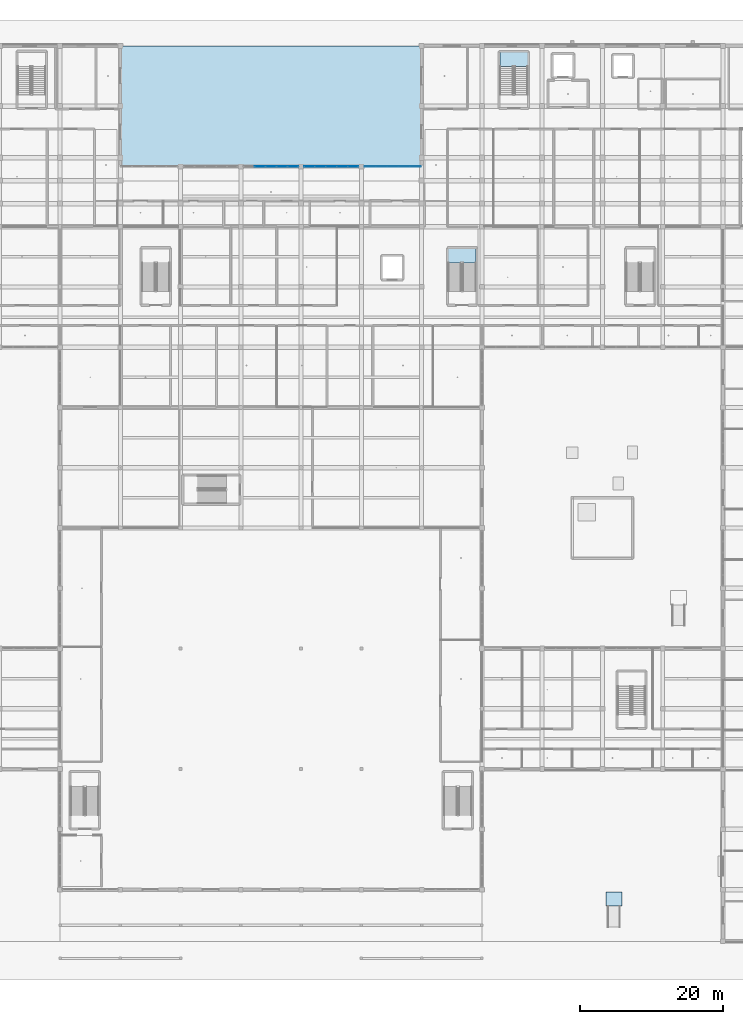
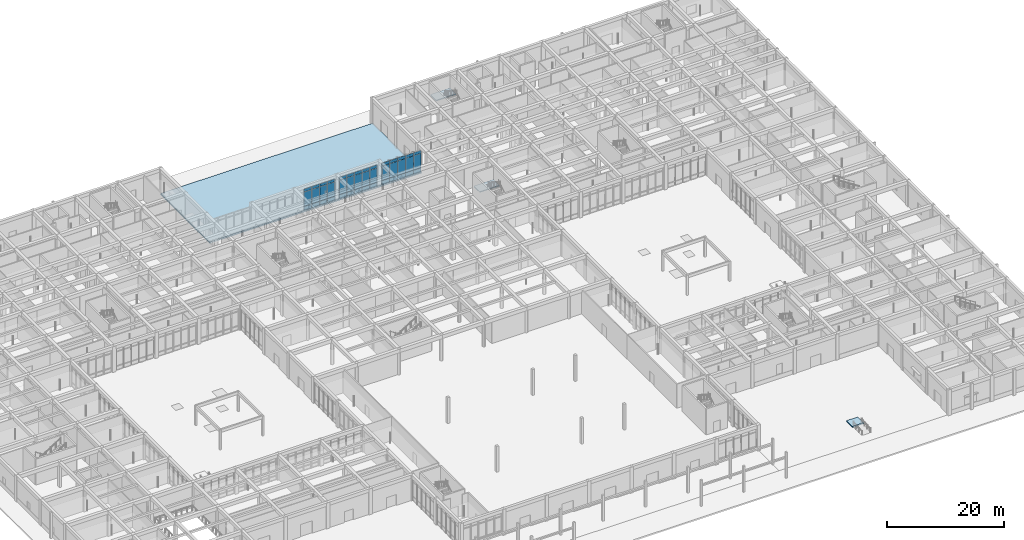
# One storey, part 56 of 167: 42 plates, 4 slabs, 6 elements without a shape of their own.
"""IFC4 building model written with IfcOpenShell, lengths in metres."""

from ifc_helpers import new_model, si_unit, direction, frame, origin, origin_2d, place, context, subcontext, project, spatial, polyline, rectangle, outline, extrude, material, layer, layer_set, type_object, element, aggregate, save


model = new_model("IFC4")

# Units and contexts
model_context = context("Model", 3, precision=1e-05, world=origin(), true_north=direction((0.0, 1.0)))
body_context = subcontext(model_context, "Body", "Model", "MODEL_VIEW")
ifc_project = project(units=[si_unit("LENGTHUNIT", "METRE"), si_unit("AREAUNIT", "SQUARE_METRE"), si_unit("VOLUMEUNIT", "CUBIC_METRE"), si_unit("PLANEANGLEUNIT", "RADIAN"), si_unit("MASSUNIT", "GRAM", prefix="KILO")], contexts=[model_context])

# Site, building, storey
site_placement = place(None, origin())
site = spatial("IfcSite", under=ifc_project, at=site_placement, CompositionType="ELEMENT")
building_placement = place(site_placement, origin())
building = spatial("IfcBuilding", under=site, at=building_placement, Name="Varncliffe General Hospital", CompositionType="ELEMENT")
storey_placement = place(building_placement, origin())
storey = spatial("IfcBuildingStorey", under=building, at=storey_placement, Name="L00", CompositionType="ELEMENT", Elevation=0.0)

# Ramp, slab
ifc_material_1 = material(Name="Concrete C35/45 (CSA A23.1 35 MPa)", Category="concrete")
ramp_type = type_object("IfcRampType", Name="Barrier-Free Pedestrian Access Ramp PR23", PredefinedType="STRAIGHT_RUN_RAMP", material=ifc_material_1)
ramp_placement = place(storey_placement, origin())
ramp = element("IfcRamp", 1, at=ramp_placement, inside=storey, type_object=ramp_type, Name="South-East Forecourt Barrier-Free Ramp", PredefinedType="STRAIGHT_RUN_RAMP")
ifc_layer_1 = layer(ifc_material_1, 0.239990234375)
ifc_layer_set_1 = layer_set([ifc_layer_1], Name="Concrete C35/45 (CSA A23.1 35 MPa)")
slab_type_1 = type_object("IfcSlabType", Name="Accessible Threshold Landing Slab PLZ32 (240mm)", PredefinedType="LANDING", material=ifc_layer_set_1)
slab_1_placement = place(storey_placement, origin())
slab_1 = element("IfcSlab", 2, at=slab_1_placement, type_object=slab_type_1, Name="South-East Forecourt Barrier-Free Ramp Top Landing Plinth", PredefinedType="LANDING", context=body_context, shape_type="SweptSolid", body=[
    extrude(outline(polyline([(134.89990234375, 4.8798828125), (137.10009765625, 4.8798828125), (137.10009765625, 6.8798828125), (134.89990234375, 6.8798828125), (134.89990234375, 4.8798828125)])), origin(), (0.0, 0.0, 1.0), 0.239990234375),
])
aggregate(ramp, [slab_1])

# Curtain wall, plates
ifc_material_2 = material(Name="Triple low-E argon insulated vision glazing", Category="glass")
curtain_wall_type_1 = type_object("IfcCurtainWallType", Name="Unitised Glazed Curtain Wall CW51 (7704x4640)", PredefinedType="USERDEFINED", material=ifc_material_2)
curtain_wall_1_placement = place(storey_placement, origin())
curtain_wall_1 = element("IfcCurtainWall", 3, at=curtain_wall_1_placement, inside=storey, type_object=curtain_wall_type_1, Name="L00 Glazed Curtain Wall CW51-3", ObjectType="GLAZED CURTAIN WALL", PredefinedType="USERDEFINED")
ifc_layer_2 = layer(ifc_material_2, 0.0439453125)
ifc_layer_set_2 = layer_set([ifc_layer_2], Name="Triple low-E argon insulated vision glazing")
plate_type_1 = type_object("IfcPlateType", Name="Curtain Wall Glazing Panel CP12 (44mm)", PredefinedType="CURTAIN_PANEL", material=ifc_layer_set_2)
plate_1_placement = place(storey_placement, frame((86.6591796875, 108.0, 0.06494140625), z_axis=(0.0, 0.0, 1.0), x_axis=(1.0, 0.0, 0.0)))
plate_1 = element("IfcPlate", 4, at=plate_1_placement, type_object=plate_type_1, Name="CW51 panel 2.1", PredefinedType="CURTAIN_PANEL", context=body_context, shape_type="SweptSolid", body=[
    extrude(rectangle(XDim=1.4658203125, YDim=0.0439453125, at=origin_2d()), origin(), (0.0, 0.0, 1.0), 0.802490234375),
])
plate_2_placement = place(storey_placement, frame((86.6591796875, 108.0, 0.932373046875), z_axis=(0.0, 0.0, 1.0), x_axis=(1.0, 0.0, 0.0)))
plate_2 = element("IfcPlate", 5, at=plate_2_placement, type_object=plate_type_1, Name="CW51 panel 2.2", PredefinedType="CURTAIN_PANEL", context=body_context, shape_type="SweptSolid", body=[
    extrude(rectangle(XDim=1.4658203125, YDim=0.0439453125, at=origin_2d()), origin(), (0.0, 0.0, 1.0), 2.97509765625),
])
plate_3_placement = place(storey_placement, frame((86.6591796875, 108.0, 3.972412109375), z_axis=(0.0, 0.0, 1.0), x_axis=(1.0, 0.0, 0.0)))
plate_3 = element("IfcPlate", 6, at=plate_3_placement, type_object=plate_type_1, Name="CW51 panel 2.3", PredefinedType="CURTAIN_PANEL", context=body_context, shape_type="SweptSolid", body=[
    extrude(rectangle(XDim=1.4658203125, YDim=0.0439453125, at=origin_2d()), origin(), (0.0, 0.0, 1.0), 0.6025390625),
])
plate_4_placement = place(storey_placement, frame((88.199951171875, 108.0, 0.06494140625), z_axis=(0.0, 0.0, 1.0), x_axis=(1.0, 0.0, 0.0)))
plate_4 = element("IfcPlate", 7, at=plate_4_placement, type_object=plate_type_1, Name="CW51 panel 3.1", PredefinedType="CURTAIN_PANEL", context=body_context, shape_type="SweptSolid", body=[
    extrude(rectangle(XDim=1.4658203125, YDim=0.0439453125, at=origin_2d()), origin(), (0.0, 0.0, 1.0), 0.802490234375),
])
plate_5_placement = place(storey_placement, frame((88.199951171875, 108.0, 0.932373046875), z_axis=(0.0, 0.0, 1.0), x_axis=(1.0, 0.0, 0.0)))
plate_5 = element("IfcPlate", 8, at=plate_5_placement, type_object=plate_type_1, Name="CW51 panel 3.2", PredefinedType="CURTAIN_PANEL", context=body_context, shape_type="SweptSolid", body=[
    extrude(rectangle(XDim=1.4658203125, YDim=0.0439453125, at=origin_2d()), origin(), (0.0, 0.0, 1.0), 2.97509765625),
])
plate_6_placement = place(storey_placement, frame((88.199951171875, 108.0, 3.972412109375), z_axis=(0.0, 0.0, 1.0), x_axis=(1.0, 0.0, 0.0)))
plate_6 = element("IfcPlate", 9, at=plate_6_placement, type_object=plate_type_1, Name="CW51 panel 3.3", PredefinedType="CURTAIN_PANEL", context=body_context, shape_type="SweptSolid", body=[
    extrude(rectangle(XDim=1.4658203125, YDim=0.0439453125, at=origin_2d()), origin(), (0.0, 0.0, 1.0), 0.6025390625),
])
plate_7_placement = place(storey_placement, frame((89.74072265625, 108.0, 0.06494140625), z_axis=(0.0, 0.0, 1.0), x_axis=(1.0, 0.0, 0.0)))
plate_7 = element("IfcPlate", 10, at=plate_7_placement, type_object=plate_type_1, Name="CW51 panel 4.1", PredefinedType="CURTAIN_PANEL", context=body_context, shape_type="SweptSolid", body=[
    extrude(rectangle(XDim=1.4658203125, YDim=0.0439453125, at=origin_2d()), origin(), (0.0, 0.0, 1.0), 0.802490234375),
])
plate_8_placement = place(storey_placement, frame((89.74072265625, 108.0, 0.932373046875), z_axis=(0.0, 0.0, 1.0), x_axis=(1.0, 0.0, 0.0)))
plate_8 = element("IfcPlate", 11, at=plate_8_placement, type_object=plate_type_1, Name="CW51 panel 4.2", PredefinedType="CURTAIN_PANEL", context=body_context, shape_type="SweptSolid", body=[
    extrude(rectangle(XDim=1.4658203125, YDim=0.0439453125, at=origin_2d()), origin(), (0.0, 0.0, 1.0), 2.97509765625),
])
plate_9_placement = place(storey_placement, frame((89.74072265625, 108.0, 3.972412109375), z_axis=(0.0, 0.0, 1.0), x_axis=(1.0, 0.0, 0.0)))
plate_9 = element("IfcPlate", 12, at=plate_9_placement, type_object=plate_type_1, Name="CW51 panel 4.3", PredefinedType="CURTAIN_PANEL", context=body_context, shape_type="SweptSolid", body=[
    extrude(rectangle(XDim=1.4658203125, YDim=0.0439453125, at=origin_2d()), origin(), (0.0, 0.0, 1.0), 0.6025390625),
])
plate_10_placement = place(storey_placement, frame((91.262939453125, 108.0, 0.06494140625), z_axis=(0.0, 0.0, 1.0), x_axis=(1.0, 0.0, 0.0)))
plate_10 = element("IfcPlate", 13, at=plate_10_placement, type_object=plate_type_1, Name="CW51 panel 5.1", PredefinedType="CURTAIN_PANEL", context=body_context, shape_type="SweptSolid", body=[
    extrude(rectangle(XDim=1.42822265625, YDim=0.0439453125, at=origin_2d()), origin(), (0.0, 0.0, 1.0), 0.802490234375),
])
plate_11_placement = place(storey_placement, frame((91.262939453125, 108.0, 0.932373046875), z_axis=(0.0, 0.0, 1.0), x_axis=(1.0, 0.0, 0.0)))
plate_11 = element("IfcPlate", 14, at=plate_11_placement, type_object=plate_type_1, Name="CW51 panel 5.2", PredefinedType="CURTAIN_PANEL", context=body_context, shape_type="SweptSolid", body=[
    extrude(rectangle(XDim=1.42822265625, YDim=0.0439453125, at=origin_2d()), origin(), (0.0, 0.0, 1.0), 2.97509765625),
])
plate_12_placement = place(storey_placement, frame((91.262939453125, 108.0, 3.972412109375), z_axis=(0.0, 0.0, 1.0), x_axis=(1.0, 0.0, 0.0)))
plate_12 = element("IfcPlate", 15, at=plate_12_placement, type_object=plate_type_1, Name="CW51 panel 5.3", PredefinedType="CURTAIN_PANEL", context=body_context, shape_type="SweptSolid", body=[
    extrude(rectangle(XDim=1.42822265625, YDim=0.0439453125, at=origin_2d()), origin(), (0.0, 0.0, 1.0), 0.6025390625),
])
aggregate(curtain_wall_1, [plate_1, plate_2, plate_3, plate_4, plate_5, plate_6, plate_7, plate_8, plate_9, plate_10, plate_11, plate_12])

curtain_wall_type_2 = type_object("IfcCurtainWallType", Name="Unitised Glazed Curtain Wall CW50 (7892x4640)", PredefinedType="USERDEFINED", material=ifc_material_2)
curtain_wall_2_placement = place(storey_placement, origin())
curtain_wall_2 = element("IfcCurtainWall", 16, at=curtain_wall_2_placement, inside=storey, type_object=curtain_wall_type_2, Name="L00 Glazed Curtain Wall CW50-5", ObjectType="GLAZED CURTAIN WALL", PredefinedType="USERDEFINED")
ifc_material_3 = material(Name="Insulated ceramic-fritted spandrel glazing panel", Category="glass")
ifc_layer_3 = layer(ifc_material_3, 0.06396484375)
ifc_layer_set_3 = layer_set([ifc_layer_3], Name="Insulated ceramic-fritted spandrel glazing panel")
plate_type_2 = type_object("IfcPlateType", Name="Curtain Wall Glazing Panel CP41 (64mm)", PredefinedType="CURTAIN_PANEL", material=ifc_layer_set_3)
plate_13_placement = place(storey_placement, frame((102.033447265625, 108.0, 0.06005859375), z_axis=(0.0, 0.0, 1.0), x_axis=(1.0, 0.0, 0.0)))
plate_13 = element("IfcPlate", 17, at=plate_13_placement, type_object=plate_type_2, Name="CW50 panel 1.1", PredefinedType="CURTAIN_PANEL", context=body_context, shape_type="SweptSolid", body=[
    extrude(rectangle(XDim=1.48095703125, YDim=0.06396484375, at=origin_2d()), origin(), (0.0, 0.0, 1.0), 0.81005859375),
])
plate_14_placement = place(storey_placement, frame((102.033447265625, 108.0, 0.929931640625), z_axis=(0.0, 0.0, 1.0), x_axis=(1.0, 0.0, 0.0)))
plate_14 = element("IfcPlate", 18, at=plate_14_placement, type_object=plate_type_2, Name="CW50 panel 1.2", PredefinedType="CURTAIN_PANEL", context=body_context, shape_type="SweptSolid", body=[
    extrude(rectangle(XDim=1.48095703125, YDim=0.06396484375, at=origin_2d()), origin(), (0.0, 0.0, 1.0), 2.97998046875),
])
plate_15_placement = place(storey_placement, frame((102.033447265625, 108.0, 3.9697265625), z_axis=(0.0, 0.0, 1.0), x_axis=(1.0, 0.0, 0.0)))
plate_15 = element("IfcPlate", 19, at=plate_15_placement, type_object=plate_type_2, Name="CW50 panel 1.3", PredefinedType="CURTAIN_PANEL", context=body_context, shape_type="SweptSolid", body=[
    extrude(rectangle(XDim=1.48095703125, YDim=0.06396484375, at=origin_2d()), origin(), (0.0, 0.0, 1.0), 0.610107421875),
])
plate_16_placement = place(storey_placement, frame((103.595703125, 108.0, 0.06005859375), z_axis=(0.0, 0.0, 1.0), x_axis=(1.0, 0.0, 0.0)))
plate_16 = element("IfcPlate", 20, at=plate_16_placement, type_object=plate_type_2, Name="CW50 panel 2.1", PredefinedType="CURTAIN_PANEL", context=body_context, shape_type="SweptSolid", body=[
    extrude(rectangle(XDim=1.513427734375, YDim=0.06396484375, at=origin_2d()), origin(), (0.0, 0.0, 1.0), 0.81005859375),
])
plate_17_placement = place(storey_placement, frame((103.595703125, 108.0, 0.929931640625), z_axis=(0.0, 0.0, 1.0), x_axis=(1.0, 0.0, 0.0)))
plate_17 = element("IfcPlate", 21, at=plate_17_placement, type_object=plate_type_2, Name="CW50 panel 2.2", PredefinedType="CURTAIN_PANEL", context=body_context, shape_type="SweptSolid", body=[
    extrude(rectangle(XDim=1.513427734375, YDim=0.06396484375, at=origin_2d()), origin(), (0.0, 0.0, 1.0), 2.97998046875),
])
plate_18_placement = place(storey_placement, frame((103.595703125, 108.0, 3.9697265625), z_axis=(0.0, 0.0, 1.0), x_axis=(1.0, 0.0, 0.0)))
plate_18 = element("IfcPlate", 22, at=plate_18_placement, type_object=plate_type_2, Name="CW50 panel 2.3", PredefinedType="CURTAIN_PANEL", context=body_context, shape_type="SweptSolid", body=[
    extrude(rectangle(XDim=1.513427734375, YDim=0.06396484375, at=origin_2d()), origin(), (0.0, 0.0, 1.0), 0.610107421875),
])
plate_19_placement = place(storey_placement, frame((105.174072265625, 108.0, 0.06005859375), z_axis=(0.0, 0.0, 1.0), x_axis=(1.0, 0.0, 0.0)))
plate_19 = element("IfcPlate", 23, at=plate_19_placement, type_object=plate_type_2, Name="CW50 panel 3.1", PredefinedType="CURTAIN_PANEL", context=body_context, shape_type="SweptSolid", body=[
    extrude(rectangle(XDim=1.513427734375, YDim=0.06396484375, at=origin_2d()), origin(), (0.0, 0.0, 1.0), 0.81005859375),
])
plate_20_placement = place(storey_placement, frame((105.174072265625, 108.0, 0.929931640625), z_axis=(0.0, 0.0, 1.0), x_axis=(1.0, 0.0, 0.0)))
plate_20 = element("IfcPlate", 24, at=plate_20_placement, type_object=plate_type_2, Name="CW50 panel 3.2", PredefinedType="CURTAIN_PANEL", context=body_context, shape_type="SweptSolid", body=[
    extrude(rectangle(XDim=1.513427734375, YDim=0.06396484375, at=origin_2d()), origin(), (0.0, 0.0, 1.0), 2.97998046875),
])
plate_21_placement = place(storey_placement, frame((105.174072265625, 108.0, 3.9697265625), z_axis=(0.0, 0.0, 1.0), x_axis=(1.0, 0.0, 0.0)))
plate_21 = element("IfcPlate", 25, at=plate_21_placement, type_object=plate_type_2, Name="CW50 panel 3.3", PredefinedType="CURTAIN_PANEL", context=body_context, shape_type="SweptSolid", body=[
    extrude(rectangle(XDim=1.513427734375, YDim=0.06396484375, at=origin_2d()), origin(), (0.0, 0.0, 1.0), 0.610107421875),
])
plate_22_placement = place(storey_placement, frame((106.75244140625, 108.0, 0.06005859375), z_axis=(0.0, 0.0, 1.0), x_axis=(1.0, 0.0, 0.0)))
plate_22 = element("IfcPlate", 26, at=plate_22_placement, type_object=plate_type_2, Name="CW50 panel 4.1", PredefinedType="CURTAIN_PANEL", context=body_context, shape_type="SweptSolid", body=[
    extrude(rectangle(XDim=1.513427734375, YDim=0.06396484375, at=origin_2d()), origin(), (0.0, 0.0, 1.0), 0.81005859375),
])
plate_23_placement = place(storey_placement, frame((106.75244140625, 108.0, 0.929931640625), z_axis=(0.0, 0.0, 1.0), x_axis=(1.0, 0.0, 0.0)))
plate_23 = element("IfcPlate", 27, at=plate_23_placement, type_object=plate_type_2, Name="CW50 panel 4.2", PredefinedType="CURTAIN_PANEL", context=body_context, shape_type="SweptSolid", body=[
    extrude(rectangle(XDim=1.513427734375, YDim=0.06396484375, at=origin_2d()), origin(), (0.0, 0.0, 1.0), 2.97998046875),
])
plate_24_placement = place(storey_placement, frame((106.75244140625, 108.0, 3.9697265625), z_axis=(0.0, 0.0, 1.0), x_axis=(1.0, 0.0, 0.0)))
plate_24 = element("IfcPlate", 28, at=plate_24_placement, type_object=plate_type_2, Name="CW50 panel 4.3", PredefinedType="CURTAIN_PANEL", context=body_context, shape_type="SweptSolid", body=[
    extrude(rectangle(XDim=1.513427734375, YDim=0.06396484375, at=origin_2d()), origin(), (0.0, 0.0, 1.0), 0.610107421875),
])
plate_25_placement = place(storey_placement, frame((108.314453125, 108.0, 0.06005859375), z_axis=(0.0, 0.0, 1.0), x_axis=(1.0, 0.0, 0.0)))
plate_25 = element("IfcPlate", 29, at=plate_25_placement, type_object=plate_type_2, Name="CW50 panel 5.1", PredefinedType="CURTAIN_PANEL", context=body_context, shape_type="SweptSolid", body=[
    extrude(rectangle(XDim=1.48095703125, YDim=0.06396484375, at=origin_2d()), origin(), (0.0, 0.0, 1.0), 0.81005859375),
])
plate_26_placement = place(storey_placement, frame((108.314453125, 108.0, 0.929931640625), z_axis=(0.0, 0.0, 1.0), x_axis=(1.0, 0.0, 0.0)))
plate_26 = element("IfcPlate", 30, at=plate_26_placement, type_object=plate_type_2, Name="CW50 panel 5.2", PredefinedType="CURTAIN_PANEL", context=body_context, shape_type="SweptSolid", body=[
    extrude(rectangle(XDim=1.48095703125, YDim=0.06396484375, at=origin_2d()), origin(), (0.0, 0.0, 1.0), 2.97998046875),
])
plate_27_placement = place(storey_placement, frame((108.314453125, 108.0, 3.9697265625), z_axis=(0.0, 0.0, 1.0), x_axis=(1.0, 0.0, 0.0)))
plate_27 = element("IfcPlate", 31, at=plate_27_placement, type_object=plate_type_2, Name="CW50 panel 5.3", PredefinedType="CURTAIN_PANEL", context=body_context, shape_type="SweptSolid", body=[
    extrude(rectangle(XDim=1.48095703125, YDim=0.06396484375, at=origin_2d()), origin(), (0.0, 0.0, 1.0), 0.610107421875),
])
aggregate(curtain_wall_2, [plate_13, plate_14, plate_15, plate_16, plate_17, plate_18, plate_19, plate_20, plate_21, plate_22, plate_23, plate_24, plate_25, plate_26, plate_27])

curtain_wall_type_3 = type_object("IfcCurtainWallType", Name="Unitised Glazed Curtain Wall CW11 (7624x4640)", PredefinedType="USERDEFINED", material=ifc_material_2)
curtain_wall_3_placement = place(storey_placement, origin())
curtain_wall_3 = element("IfcCurtainWall", 32, at=curtain_wall_3_placement, inside=storey, type_object=curtain_wall_type_3, Name="L00 Glazed Curtain Wall CW11-4", ObjectType="GLAZED CURTAIN WALL", PredefinedType="USERDEFINED")
ifc_layer_4 = layer(ifc_material_3, 0.052001953125)
ifc_layer_set_4 = layer_set([ifc_layer_4], Name="Insulated ceramic-fritted spandrel glazing panel")
plate_type_3 = type_object("IfcPlateType", Name="Curtain Wall Glazing Panel CP46 (52mm)", PredefinedType="CURTAIN_PANEL", material=ifc_layer_set_4)
plate_28_placement = place(storey_placement, frame((93.569091796875, 108.0, 0.06005859375), z_axis=(0.0, 0.0, 1.0), x_axis=(1.0, 0.0, 0.0)))
plate_28 = element("IfcPlate", 33, at=plate_28_placement, type_object=plate_type_3, Name="CW11 panel 1.1", PredefinedType="CURTAIN_PANEL", context=body_context, shape_type="SweptSolid", body=[
    extrude(rectangle(XDim=1.412353515625, YDim=0.052001953125, at=origin_2d()), origin(), (0.0, 0.0, 1.0), 0.81005859375),
])
plate_29_placement = place(storey_placement, frame((93.569091796875, 108.0, 0.929931640625), z_axis=(0.0, 0.0, 1.0), x_axis=(1.0, 0.0, 0.0)))
plate_29 = element("IfcPlate", 34, at=plate_29_placement, type_object=plate_type_3, Name="CW11 panel 1.2", PredefinedType="CURTAIN_PANEL", context=body_context, shape_type="SweptSolid", body=[
    extrude(rectangle(XDim=1.412353515625, YDim=0.052001953125, at=origin_2d()), origin(), (0.0, 0.0, 1.0), 2.97998046875),
])
plate_30_placement = place(storey_placement, frame((93.569091796875, 108.0, 3.9697265625), z_axis=(0.0, 0.0, 1.0), x_axis=(1.0, 0.0, 0.0)))
plate_30 = element("IfcPlate", 35, at=plate_30_placement, type_object=plate_type_3, Name="CW11 panel 1.3", PredefinedType="CURTAIN_PANEL", context=body_context, shape_type="SweptSolid", body=[
    extrude(rectangle(XDim=1.412353515625, YDim=0.052001953125, at=origin_2d()), origin(), (0.0, 0.0, 1.0), 0.610107421875),
])
plate_31_placement = place(storey_placement, frame((95.0751953125, 108.0, 0.06005859375), z_axis=(0.0, 0.0, 1.0), x_axis=(1.0, 0.0, 0.0)))
plate_31 = element("IfcPlate", 36, at=plate_31_placement, type_object=plate_type_3, Name="CW11 panel 2.1", PredefinedType="CURTAIN_PANEL", context=body_context, shape_type="SweptSolid", body=[
    extrude(rectangle(XDim=1.44970703125, YDim=0.052001953125, at=origin_2d()), origin(), (0.0, 0.0, 1.0), 0.81005859375),
])
plate_32_placement = place(storey_placement, frame((95.0751953125, 108.0, 0.929931640625), z_axis=(0.0, 0.0, 1.0), x_axis=(1.0, 0.0, 0.0)))
plate_32 = element("IfcPlate", 37, at=plate_32_placement, type_object=plate_type_3, Name="CW11 panel 2.2", PredefinedType="CURTAIN_PANEL", context=body_context, shape_type="SweptSolid", body=[
    extrude(rectangle(XDim=1.44970703125, YDim=0.052001953125, at=origin_2d()), origin(), (0.0, 0.0, 1.0), 2.97998046875),
])
plate_33_placement = place(storey_placement, frame((95.0751953125, 108.0, 3.9697265625), z_axis=(0.0, 0.0, 1.0), x_axis=(1.0, 0.0, 0.0)))
plate_33 = element("IfcPlate", 38, at=plate_33_placement, type_object=plate_type_3, Name="CW11 panel 2.3", PredefinedType="CURTAIN_PANEL", context=body_context, shape_type="SweptSolid", body=[
    extrude(rectangle(XDim=1.44970703125, YDim=0.052001953125, at=origin_2d()), origin(), (0.0, 0.0, 1.0), 0.610107421875),
])
plate_34_placement = place(storey_placement, frame((96.60009765625, 108.0, 0.06005859375), z_axis=(0.0, 0.0, 1.0), x_axis=(1.0, 0.0, 0.0)))
plate_34 = element("IfcPlate", 39, at=plate_34_placement, type_object=plate_type_3, Name="CW11 panel 3.1", PredefinedType="CURTAIN_PANEL", context=body_context, shape_type="SweptSolid", body=[
    extrude(rectangle(XDim=1.44970703125, YDim=0.052001953125, at=origin_2d()), origin(), (0.0, 0.0, 1.0), 0.81005859375),
])
plate_35_placement = place(storey_placement, frame((96.60009765625, 108.0, 0.929931640625), z_axis=(0.0, 0.0, 1.0), x_axis=(1.0, 0.0, 0.0)))
plate_35 = element("IfcPlate", 40, at=plate_35_placement, type_object=plate_type_3, Name="CW11 panel 3.2", PredefinedType="CURTAIN_PANEL", context=body_context, shape_type="SweptSolid", body=[
    extrude(rectangle(XDim=1.44970703125, YDim=0.052001953125, at=origin_2d()), origin(), (0.0, 0.0, 1.0), 2.97998046875),
])
plate_36_placement = place(storey_placement, frame((96.60009765625, 108.0, 3.9697265625), z_axis=(0.0, 0.0, 1.0), x_axis=(1.0, 0.0, 0.0)))
plate_36 = element("IfcPlate", 41, at=plate_36_placement, type_object=plate_type_3, Name="CW11 panel 3.3", PredefinedType="CURTAIN_PANEL", context=body_context, shape_type="SweptSolid", body=[
    extrude(rectangle(XDim=1.44970703125, YDim=0.052001953125, at=origin_2d()), origin(), (0.0, 0.0, 1.0), 0.610107421875),
])
plate_37_placement = place(storey_placement, frame((98.124755859375, 108.0, 0.06005859375), z_axis=(0.0, 0.0, 1.0), x_axis=(1.0, 0.0, 0.0)))
plate_37 = element("IfcPlate", 42, at=plate_37_placement, type_object=plate_type_3, Name="CW11 panel 4.1", PredefinedType="CURTAIN_PANEL", context=body_context, shape_type="SweptSolid", body=[
    extrude(rectangle(XDim=1.44970703125, YDim=0.052001953125, at=origin_2d()), origin(), (0.0, 0.0, 1.0), 0.81005859375),
])
plate_38_placement = place(storey_placement, frame((98.124755859375, 108.0, 0.929931640625), z_axis=(0.0, 0.0, 1.0), x_axis=(1.0, 0.0, 0.0)))
plate_38 = element("IfcPlate", 43, at=plate_38_placement, type_object=plate_type_3, Name="CW11 panel 4.2", PredefinedType="CURTAIN_PANEL", context=body_context, shape_type="SweptSolid", body=[
    extrude(rectangle(XDim=1.44970703125, YDim=0.052001953125, at=origin_2d()), origin(), (0.0, 0.0, 1.0), 2.97998046875),
])
plate_39_placement = place(storey_placement, frame((98.124755859375, 108.0, 3.9697265625), z_axis=(0.0, 0.0, 1.0), x_axis=(1.0, 0.0, 0.0)))
plate_39 = element("IfcPlate", 44, at=plate_39_placement, type_object=plate_type_3, Name="CW11 panel 4.3", PredefinedType="CURTAIN_PANEL", context=body_context, shape_type="SweptSolid", body=[
    extrude(rectangle(XDim=1.44970703125, YDim=0.052001953125, at=origin_2d()), origin(), (0.0, 0.0, 1.0), 0.610107421875),
])
plate_40_placement = place(storey_placement, frame((99.630859375, 108.0, 0.06005859375), z_axis=(0.0, 0.0, 1.0), x_axis=(1.0, 0.0, 0.0)))
plate_40 = element("IfcPlate", 45, at=plate_40_placement, type_object=plate_type_3, Name="CW11 panel 5.1", PredefinedType="CURTAIN_PANEL", context=body_context, shape_type="SweptSolid", body=[
    extrude(rectangle(XDim=1.412353515625, YDim=0.052001953125, at=origin_2d()), origin(), (0.0, 0.0, 1.0), 0.81005859375),
])
plate_41_placement = place(storey_placement, frame((99.630859375, 108.0, 0.929931640625), z_axis=(0.0, 0.0, 1.0), x_axis=(1.0, 0.0, 0.0)))
plate_41 = element("IfcPlate", 46, at=plate_41_placement, type_object=plate_type_3, Name="CW11 panel 5.2", PredefinedType="CURTAIN_PANEL", context=body_context, shape_type="SweptSolid", body=[
    extrude(rectangle(XDim=1.412353515625, YDim=0.052001953125, at=origin_2d()), origin(), (0.0, 0.0, 1.0), 2.97998046875),
])
plate_42_placement = place(storey_placement, frame((99.630859375, 108.0, 3.9697265625), z_axis=(0.0, 0.0, 1.0), x_axis=(1.0, 0.0, 0.0)))
plate_42 = element("IfcPlate", 47, at=plate_42_placement, type_object=plate_type_3, Name="CW11 panel 5.3", PredefinedType="CURTAIN_PANEL", context=body_context, shape_type="SweptSolid", body=[
    extrude(rectangle(XDim=1.412353515625, YDim=0.052001953125, at=origin_2d()), origin(), (0.0, 0.0, 1.0), 0.610107421875),
])
aggregate(curtain_wall_3, [plate_28, plate_29, plate_30, plate_31, plate_32, plate_33, plate_34, plate_35, plate_36, plate_37, plate_38, plate_39, plate_40, plate_41, plate_42])

# Slab
ifc_layer_5 = layer(ifc_material_1, 0.300048828125)
ifc_layer_set_5 = layer_set([ifc_layer_5], Name="Concrete C35/45 (CSA A23.1 35 MPa)")
slab_type_2 = type_object("IfcSlabType", Name="Floor Slab SL54 (Ext 300mm)", PredefinedType="FLOOR", material=ifc_layer_set_5)
slab_2_placement = place(storey_placement, frame((0.0, 0.0, -0.300048828125)))
element("IfcSlab", 48, at=slab_2_placement, inside=storey, type_object=slab_type_2, Name="L00 North Botanical Court Paving", PredefinedType="FLOOR", context=body_context, shape_type="SweptSolid", body=[
    extrude(outline(polyline([(67.199951171875, 108.0), (109.199951171875, 108.0), (109.199951171875, 124.800048828125), (67.199951171875, 124.800048828125), (67.199951171875, 108.0)])), origin(), (0.0, 0.0, 1.0), 0.300048828125),
])

# Stair, slab
stair_type = type_object("IfcStairType", Name="Hospital Stair Assembly ST-T02 (1850w-5400h)", PredefinedType="TWO_STRAIGHT_RUN_STAIR", material=ifc_material_1)
stair_1_placement = place(storey_placement, origin())
stair_1 = element("IfcStair", 49, at=stair_1_placement, inside=storey, type_object=stair_type, Name="L00 North-East Ward Exit Stair 3", PredefinedType="TWO_STRAIGHT_RUN_STAIR")
ifc_layer_6 = layer(ifc_material_1, 0.199951171875)
ifc_layer_set_6 = layer_set([ifc_layer_6], Name="Concrete C35/45 (CSA A23.1 35 MPa)")
slab_type_3 = type_object("IfcSlabType", Name="Reinforced Concrete Stair Landing LND50 (200mm)", PredefinedType="LANDING", material=ifc_layer_set_6)
slab_3_placement = place(storey_placement, frame((0.0, 0.0, 2.5)))
slab_3 = element("IfcSlab", 50, at=slab_3_placement, type_object=slab_type_3, Name="ST03 landing 1", PredefinedType="LANDING", context=body_context, shape_type="SweptSolid", body=[
    extrude(outline(polyline([(124.0, 121.919921875), (124.0, 123.949951171875), (120.10009765625, 123.949951171875), (120.10009765625, 121.919921875), (124.0, 121.919921875)])), origin(), (0.0, 0.0, 1.0), 0.199951171875),
])
aggregate(stair_1, [slab_3])

stair_2_placement = place(storey_placement, origin())
stair_2 = element("IfcStair", 51, at=stair_2_placement, inside=storey, type_object=stair_type, Name="L00 Surgical and Helipad Exit Stair 6", PredefinedType="TWO_STRAIGHT_RUN_STAIR")
slab_4_placement = place(storey_placement, frame((0.0, 0.0, 2.5)))
slab_4 = element("IfcSlab", 52, at=slab_4_placement, type_object=slab_type_3, Name="ST06 landing 1", PredefinedType="LANDING", context=body_context, shape_type="SweptSolid", body=[
    extrude(outline(polyline([(116.800048828125, 94.52001953125), (116.800048828125, 96.550048828125), (112.89990234375, 96.550048828125), (112.89990234375, 94.52001953125), (116.800048828125, 94.52001953125)])), origin(), (0.0, 0.0, 1.0), 0.199951171875),
])
aggregate(stair_2, [slab_4])

save(model, "model.ifc")
